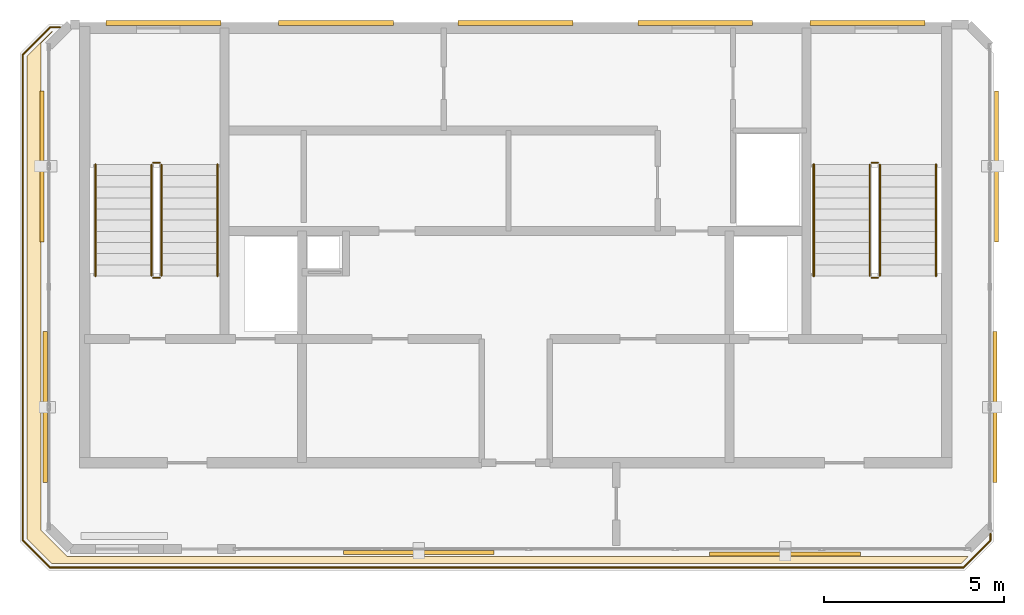
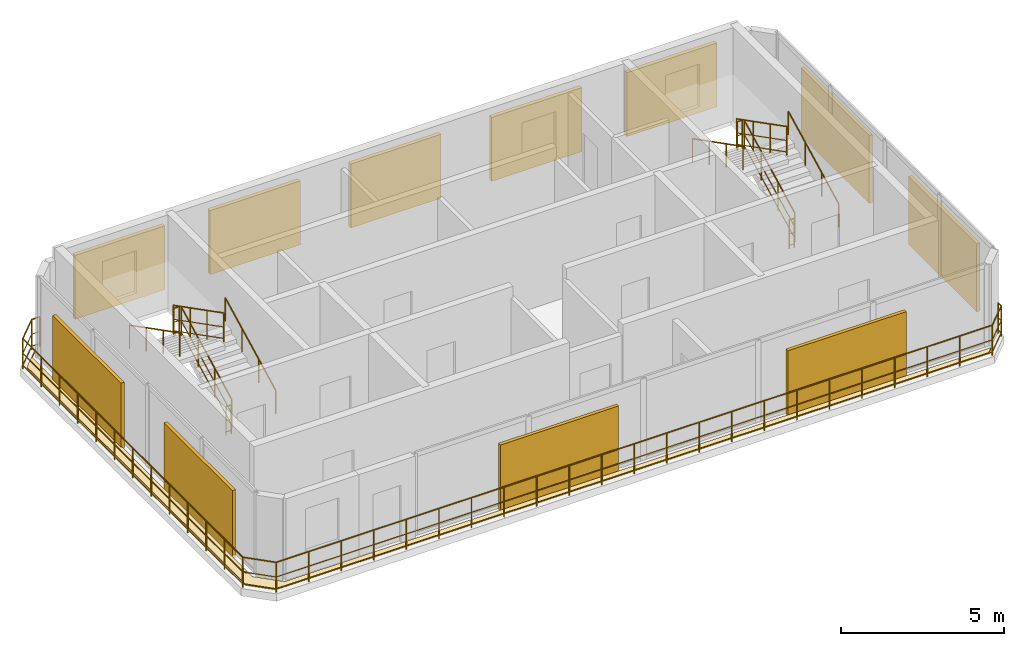
# One storey, part 7 of 7: 14 railings, 11 shading devices, 1 covering.
"""IFC4 building model written with IfcOpenShell, lengths in metres."""

from ifc_helpers import new_model, si_unit, direction, frame, origin, origin_2d, place, context, subcontext, project, spatial, polyline, rectangle, circle, outline, extrude, material, layer, layer_set, type_object, element, save


model = new_model("IFC4")

# Units and contexts
model_context = context("Model", 3, precision=1e-05, world=origin(), true_north=direction((0.0, 1.0)))
body_context = subcontext(model_context, "Body", "Model", "MODEL_VIEW")
ifc_project = project(units=[si_unit("LENGTHUNIT", "METRE"), si_unit("AREAUNIT", "SQUARE_METRE"), si_unit("VOLUMEUNIT", "CUBIC_METRE"), si_unit("PLANEANGLEUNIT", "RADIAN"), si_unit("MASSUNIT", "GRAM", prefix="KILO")], contexts=[model_context])

# Site, building, storey
site_placement = place(None, origin())
site = spatial("IfcSite", under=ifc_project, at=site_placement, CompositionType="ELEMENT")
building_placement = place(site_placement, origin())
building = spatial("IfcBuilding", under=site, at=building_placement, Name="Catumbela Crestline Tower", CompositionType="ELEMENT")
storey_placement = place(building_placement, frame((0.0, 0.0, 315.0)))
storey = spatial("IfcBuildingStorey", under=building, at=storey_placement, Name="L81", CompositionType="ELEMENT", Elevation=315.0)

# Covering
ifc_material_1 = material(Name="Polymer-modified bitumen and XPS roof membrane")
ifc_layer = layer(ifc_material_1, 0.05, Name="Polymer-modified bitumen and XPS roof membrane")
ifc_layer_set = layer_set([ifc_layer], Name="Polymer-modified bitumen and XPS roof membrane")
covering_type = type_object("IfcCoveringType", Name="CR-MEM", PredefinedType="ROOFING", material=ifc_layer_set)
covering_placement = place(storey_placement, origin())
element("IfcCovering", 1, at=covering_placement, inside=storey, type_object=covering_type, Name="L81 Crown Terrace Waterproofing Membrane 5", PredefinedType="ROOFING", context=body_context, shape_type="SweptSolid", body=[
    extrude(outline(polyline([(40.6072, 28.19), (40.4172, 28.0), (15.0828, 28.0), (14.4, 28.6828), (14.4, 42.1172), (15.0828, 42.8), (15.103, 42.8), (14.79, 42.487), (14.79, 28.913), (15.513, 28.19), (40.6072, 28.19)])), origin(), (0.0, 0.0, 1.0), 0.05),
])

# Railings
ifc_material_2 = material(Name="Stainless steel EN 1.4401", Category="steel")
railing_type_1 = type_object("IfcRailingType", Name="RG-1100", PredefinedType="GUARDRAIL", material=ifc_material_2)
railing_1_placement = place(storey_placement, frame((18.14, 36.0, 0.1591)))
element("IfcRailing", 2, at=railing_1_placement, inside=storey, type_object=railing_type_1, Name="L81 ST-01 stair guard 1", PredefinedType="GUARDRAIL", context=body_context, shape_type="SweptSolid", body=[
    extrude(circle(Radius=0.024, at=origin_2d()), frame((0.0, 0.0, 1.076), z_axis=(0.0, 0.889682666616, 0.456579404619), x_axis=(-1.0, 0.0, 0.0)), (0.0, 0.0, 1.0), 3.4844),
    extrude(circle(Radius=0.0156, at=origin_2d()), frame((0.0, 0.0, 0.55), z_axis=(0.0, 0.889682666616, 0.456579404619), x_axis=(-1.0, 0.0, 0.0)), (0.0, 0.0, 1.0), 3.4844),
    extrude(circle(Radius=0.0156, at=origin_2d()), frame((0.0, 0.0, 0.12), z_axis=(0.0, 0.889682666616, 0.456579404619), x_axis=(-1.0, 0.0, 0.0)), (0.0, 0.0, 1.0), 3.4844),
    extrude(circle(Radius=0.021, at=origin_2d()), origin(), (0.0, 0.0, 1.0), 1.052),
    extrude(circle(Radius=0.021, at=origin_2d()), frame((0.0, 1.0333, 0.5303)), (0.0, 0.0, 1.0), 1.052),
    extrude(circle(Radius=0.021, at=origin_2d()), frame((0.0, 2.0667, 1.0606)), (0.0, 0.0, 1.0), 1.052),
    extrude(circle(Radius=0.021, at=origin_2d()), frame((0.0, 3.1, 1.5909)), (0.0, 0.0, 1.0), 1.052),
])
railing_2_placement = place(storey_placement, frame((18.09, 39.15, 1.75)))
element("IfcRailing", 3, at=railing_2_placement, inside=storey, type_object=railing_type_1, Name="L81 ST-01 stair guard 2", PredefinedType="GUARDRAIL", context=body_context, shape_type="SweptSolid", body=[
    extrude(circle(Radius=0.024, at=origin_2d()), frame((0.0, 0.0, 1.076), z_axis=(-1.0, 0.0, 0.0), x_axis=(0.0, -1.0, 0.0)), (0.0, 0.0, 1.0), 0.18),
    extrude(circle(Radius=0.0156, at=origin_2d()), frame((0.0, 0.0, 0.55), z_axis=(-1.0, 0.0, 0.0), x_axis=(0.0, -1.0, 0.0)), (0.0, 0.0, 1.0), 0.18),
    extrude(circle(Radius=0.0156, at=origin_2d()), frame((0.0, 0.0, 0.12), z_axis=(-1.0, 0.0, 0.0), x_axis=(0.0, -1.0, 0.0)), (0.0, 0.0, 1.0), 0.18),
    extrude(circle(Radius=0.021, at=origin_2d()), origin(), (0.0, 0.0, 1.0), 1.052),
    extrude(circle(Radius=0.021, at=origin_2d()), frame((-0.18, 0.0, 0.0)), (0.0, 0.0, 1.0), 1.052),
])
railing_3_placement = place(storey_placement, frame((17.86, 39.1, 1.9091)))
element("IfcRailing", 4, at=railing_3_placement, inside=storey, type_object=railing_type_1, Name="L81 ST-01 stair guard 3", PredefinedType="GUARDRAIL", context=body_context, shape_type="SweptSolid", body=[
    extrude(circle(Radius=0.024, at=origin_2d()), frame((0.0, 0.0, 1.076), z_axis=(0.0, -0.889682666616, 0.456579404619), x_axis=(1.0, 0.0, 0.0)), (0.0, 0.0, 1.0), 3.4844),
    extrude(circle(Radius=0.0156, at=origin_2d()), frame((0.0, 0.0, 0.55), z_axis=(0.0, -0.889682666616, 0.456579404619), x_axis=(1.0, 0.0, 0.0)), (0.0, 0.0, 1.0), 3.4844),
    extrude(circle(Radius=0.0156, at=origin_2d()), frame((0.0, 0.0, 0.12), z_axis=(0.0, -0.889682666616, 0.456579404619), x_axis=(1.0, 0.0, 0.0)), (0.0, 0.0, 1.0), 3.4844),
    extrude(circle(Radius=0.021, at=origin_2d()), origin(), (0.0, 0.0, 1.0), 1.052),
    extrude(circle(Radius=0.021, at=origin_2d()), frame((0.0, -1.0333, 0.5303)), (0.0, 0.0, 1.0), 1.052),
    extrude(circle(Radius=0.021, at=origin_2d()), frame((0.0, -2.0667, 1.0606)), (0.0, 0.0, 1.0), 1.052),
    extrude(circle(Radius=0.021, at=origin_2d()), frame((0.0, -3.1, 1.5909)), (0.0, 0.0, 1.0), 1.052),
])
railing_4_placement = place(storey_placement, frame((18.09, 35.95, 0.0)))
element("IfcRailing", 5, at=railing_4_placement, inside=storey, type_object=railing_type_1, Name="L81 ST-01 stair guard 4", PredefinedType="GUARDRAIL", context=body_context, shape_type="SweptSolid", body=[
    extrude(circle(Radius=0.024, at=origin_2d()), frame((0.0, 0.0, 1.076), z_axis=(-1.0, 0.0, 0.0), x_axis=(0.0, -1.0, 0.0)), (0.0, 0.0, 1.0), 0.18),
    extrude(circle(Radius=0.0156, at=origin_2d()), frame((0.0, 0.0, 0.55), z_axis=(-1.0, 0.0, 0.0), x_axis=(0.0, -1.0, 0.0)), (0.0, 0.0, 1.0), 0.18),
    extrude(circle(Radius=0.0156, at=origin_2d()), frame((0.0, 0.0, 0.12), z_axis=(-1.0, 0.0, 0.0), x_axis=(0.0, -1.0, 0.0)), (0.0, 0.0, 1.0), 0.18),
    extrude(circle(Radius=0.021, at=origin_2d()), origin(), (0.0, 0.0, 1.0), 1.052),
    extrude(circle(Radius=0.021, at=origin_2d()), frame((-0.18, 0.0, 0.0)), (0.0, 0.0, 1.0), 1.052),
])
railing_5_placement = place(storey_placement, frame((38.14, 36.0, 0.1591)))
element("IfcRailing", 6, at=railing_5_placement, inside=storey, type_object=railing_type_1, Name="L81 ST-02 stair guard 1", PredefinedType="GUARDRAIL", context=body_context, shape_type="SweptSolid", body=[
    extrude(circle(Radius=0.024, at=origin_2d()), frame((0.0, 0.0, 1.076), z_axis=(0.0, 0.889682666616, 0.456579404619), x_axis=(-1.0, 0.0, 0.0)), (0.0, 0.0, 1.0), 3.4844),
    extrude(circle(Radius=0.0156, at=origin_2d()), frame((0.0, 0.0, 0.55), z_axis=(0.0, 0.889682666616, 0.456579404619), x_axis=(-1.0, 0.0, 0.0)), (0.0, 0.0, 1.0), 3.4844),
    extrude(circle(Radius=0.0156, at=origin_2d()), frame((0.0, 0.0, 0.12), z_axis=(0.0, 0.889682666616, 0.456579404619), x_axis=(-1.0, 0.0, 0.0)), (0.0, 0.0, 1.0), 3.4844),
    extrude(circle(Radius=0.021, at=origin_2d()), origin(), (0.0, 0.0, 1.0), 1.052),
    extrude(circle(Radius=0.021, at=origin_2d()), frame((0.0, 1.0333, 0.5303)), (0.0, 0.0, 1.0), 1.052),
    extrude(circle(Radius=0.021, at=origin_2d()), frame((0.0, 2.0667, 1.0606)), (0.0, 0.0, 1.0), 1.052),
    extrude(circle(Radius=0.021, at=origin_2d()), frame((0.0, 3.1, 1.5909)), (0.0, 0.0, 1.0), 1.052),
])
railing_6_placement = place(storey_placement, frame((38.09, 39.15, 1.75)))
element("IfcRailing", 7, at=railing_6_placement, inside=storey, type_object=railing_type_1, Name="L81 ST-02 stair guard 2", PredefinedType="GUARDRAIL", context=body_context, shape_type="SweptSolid", body=[
    extrude(circle(Radius=0.024, at=origin_2d()), frame((0.0, 0.0, 1.076), z_axis=(-1.0, 0.0, 0.0), x_axis=(0.0, -1.0, 0.0)), (0.0, 0.0, 1.0), 0.18),
    extrude(circle(Radius=0.0156, at=origin_2d()), frame((0.0, 0.0, 0.55), z_axis=(-1.0, 0.0, 0.0), x_axis=(0.0, -1.0, 0.0)), (0.0, 0.0, 1.0), 0.18),
    extrude(circle(Radius=0.0156, at=origin_2d()), frame((0.0, 0.0, 0.12), z_axis=(-1.0, 0.0, 0.0), x_axis=(0.0, -1.0, 0.0)), (0.0, 0.0, 1.0), 0.18),
    extrude(circle(Radius=0.021, at=origin_2d()), origin(), (0.0, 0.0, 1.0), 1.052),
    extrude(circle(Radius=0.021, at=origin_2d()), frame((-0.18, 0.0, 0.0)), (0.0, 0.0, 1.0), 1.052),
])
railing_7_placement = place(storey_placement, frame((37.86, 39.1, 1.9091)))
element("IfcRailing", 8, at=railing_7_placement, inside=storey, type_object=railing_type_1, Name="L81 ST-02 stair guard 3", PredefinedType="GUARDRAIL", context=body_context, shape_type="SweptSolid", body=[
    extrude(circle(Radius=0.024, at=origin_2d()), frame((0.0, 0.0, 1.076), z_axis=(0.0, -0.889682666616, 0.456579404619), x_axis=(1.0, 0.0, 0.0)), (0.0, 0.0, 1.0), 3.4844),
    extrude(circle(Radius=0.0156, at=origin_2d()), frame((0.0, 0.0, 0.55), z_axis=(0.0, -0.889682666616, 0.456579404619), x_axis=(1.0, 0.0, 0.0)), (0.0, 0.0, 1.0), 3.4844),
    extrude(circle(Radius=0.0156, at=origin_2d()), frame((0.0, 0.0, 0.12), z_axis=(0.0, -0.889682666616, 0.456579404619), x_axis=(1.0, 0.0, 0.0)), (0.0, 0.0, 1.0), 3.4844),
    extrude(circle(Radius=0.021, at=origin_2d()), origin(), (0.0, 0.0, 1.0), 1.052),
    extrude(circle(Radius=0.021, at=origin_2d()), frame((0.0, -1.0333, 0.5303)), (0.0, 0.0, 1.0), 1.052),
    extrude(circle(Radius=0.021, at=origin_2d()), frame((0.0, -2.0667, 1.0606)), (0.0, 0.0, 1.0), 1.052),
    extrude(circle(Radius=0.021, at=origin_2d()), frame((0.0, -3.1, 1.5909)), (0.0, 0.0, 1.0), 1.052),
])
railing_8_placement = place(storey_placement, frame((38.09, 35.95, 0.0)))
element("IfcRailing", 9, at=railing_8_placement, inside=storey, type_object=railing_type_1, Name="L81 ST-02 stair guard 4", PredefinedType="GUARDRAIL", context=body_context, shape_type="SweptSolid", body=[
    extrude(circle(Radius=0.024, at=origin_2d()), frame((0.0, 0.0, 1.076), z_axis=(-1.0, 0.0, 0.0), x_axis=(0.0, -1.0, 0.0)), (0.0, 0.0, 1.0), 0.18),
    extrude(circle(Radius=0.0156, at=origin_2d()), frame((0.0, 0.0, 0.55), z_axis=(-1.0, 0.0, 0.0), x_axis=(0.0, -1.0, 0.0)), (0.0, 0.0, 1.0), 0.18),
    extrude(circle(Radius=0.0156, at=origin_2d()), frame((0.0, 0.0, 0.12), z_axis=(-1.0, 0.0, 0.0), x_axis=(0.0, -1.0, 0.0)), (0.0, 0.0, 1.0), 0.18),
    extrude(circle(Radius=0.021, at=origin_2d()), origin(), (0.0, 0.0, 1.0), 1.052),
    extrude(circle(Radius=0.021, at=origin_2d()), frame((-0.18, 0.0, 0.0)), (0.0, 0.0, 1.0), 1.052),
])
railing_type_2 = type_object("IfcRailingType", Name="RH-0900", PredefinedType="HANDRAIL", material=ifc_material_2)
railing_9_placement = place(storey_placement, frame((19.7, 36.0, 0.1591)))
element("IfcRailing", 10, at=railing_9_placement, inside=storey, type_object=railing_type_2, Name="L81 ST-01 stair handrail 1", PredefinedType="HANDRAIL", context=body_context, shape_type="SweptSolid", body=[
    extrude(circle(Radius=0.024, at=origin_2d()), frame((0.0, 0.0, 0.876), z_axis=(0.0, 0.889682666616, 0.456579404619), x_axis=(-1.0, 0.0, 0.0)), (0.0, 0.0, 1.0), 3.4844),
    extrude(circle(Radius=0.021, at=origin_2d()), origin(), (0.0, 0.0, 1.0), 0.852),
    extrude(circle(Radius=0.021, at=origin_2d()), frame((0.0, 1.0333, 0.5303)), (0.0, 0.0, 1.0), 0.852),
    extrude(circle(Radius=0.021, at=origin_2d()), frame((0.0, 2.0667, 1.0606)), (0.0, 0.0, 1.0), 0.852),
    extrude(circle(Radius=0.021, at=origin_2d()), frame((0.0, 3.1, 1.5909)), (0.0, 0.0, 1.0), 0.852),
])
railing_10_placement = place(storey_placement, frame((16.3, 39.1, 1.9091)))
element("IfcRailing", 11, at=railing_10_placement, inside=storey, type_object=railing_type_2, Name="L81 ST-01 stair handrail 2", PredefinedType="HANDRAIL", context=body_context, shape_type="SweptSolid", body=[
    extrude(circle(Radius=0.024, at=origin_2d()), frame((0.0, 0.0, 0.876), z_axis=(0.0, -0.889682666616, 0.456579404619), x_axis=(1.0, 0.0, 0.0)), (0.0, 0.0, 1.0), 3.4844),
    extrude(circle(Radius=0.021, at=origin_2d()), origin(), (0.0, 0.0, 1.0), 0.852),
    extrude(circle(Radius=0.021, at=origin_2d()), frame((0.0, -1.0333, 0.5303)), (0.0, 0.0, 1.0), 0.852),
    extrude(circle(Radius=0.021, at=origin_2d()), frame((0.0, -2.0667, 1.0606)), (0.0, 0.0, 1.0), 0.852),
    extrude(circle(Radius=0.021, at=origin_2d()), frame((0.0, -3.1, 1.5909)), (0.0, 0.0, 1.0), 0.852),
])
railing_11_placement = place(storey_placement, frame((39.7, 36.0, 0.1591)))
element("IfcRailing", 12, at=railing_11_placement, inside=storey, type_object=railing_type_2, Name="L81 ST-02 stair handrail 1", PredefinedType="HANDRAIL", context=body_context, shape_type="SweptSolid", body=[
    extrude(circle(Radius=0.024, at=origin_2d()), frame((0.0, 0.0, 0.876), z_axis=(0.0, 0.889682666616, 0.456579404619), x_axis=(-1.0, 0.0, 0.0)), (0.0, 0.0, 1.0), 3.4844),
    extrude(circle(Radius=0.021, at=origin_2d()), origin(), (0.0, 0.0, 1.0), 0.852),
    extrude(circle(Radius=0.021, at=origin_2d()), frame((0.0, 1.0333, 0.5303)), (0.0, 0.0, 1.0), 0.852),
    extrude(circle(Radius=0.021, at=origin_2d()), frame((0.0, 2.0667, 1.0606)), (0.0, 0.0, 1.0), 0.852),
    extrude(circle(Radius=0.021, at=origin_2d()), frame((0.0, 3.1, 1.5909)), (0.0, 0.0, 1.0), 0.852),
])
railing_12_placement = place(storey_placement, frame((36.3, 39.1, 1.9091)))
element("IfcRailing", 13, at=railing_12_placement, inside=storey, type_object=railing_type_2, Name="L81 ST-02 stair handrail 2", PredefinedType="HANDRAIL", context=body_context, shape_type="SweptSolid", body=[
    extrude(circle(Radius=0.024, at=origin_2d()), frame((0.0, 0.0, 0.876), z_axis=(0.0, -0.889682666616, 0.456579404619), x_axis=(1.0, 0.0, 0.0)), (0.0, 0.0, 1.0), 3.4844),
    extrude(circle(Radius=0.021, at=origin_2d()), origin(), (0.0, 0.0, 1.0), 0.852),
    extrude(circle(Radius=0.021, at=origin_2d()), frame((0.0, -1.0333, 0.5303)), (0.0, 0.0, 1.0), 0.852),
    extrude(circle(Radius=0.021, at=origin_2d()), frame((0.0, -2.0667, 1.0606)), (0.0, 0.0, 1.0), 0.852),
    extrude(circle(Radius=0.021, at=origin_2d()), frame((0.0, -3.1, 1.5909)), (0.0, 0.0, 1.0), 0.852),
])
railing_type_3 = type_object("IfcRailingType", Name="RT-1150", PredefinedType="BALUSTRADE", material=ifc_material_2)
railing_13_placement = place(storey_placement, frame((41.22, 28.6331, 0.0)))
element("IfcRailing", 14, at=railing_13_placement, inside=storey, type_object=railing_type_3, Name="L81 Stepped Terrace Balustrade 1-1", PredefinedType="BALUSTRADE", context=body_context, shape_type="SweptSolid", body=[
    extrude(circle(Radius=0.024, at=origin_2d()), frame((0.0, 0.0, 1.126), z_axis=(-0.707106781187, -0.707106781187, 0.0), x_axis=(0.707106781187, -0.707106781187, 0.0)), (0.0, 0.0, 1.0), 1.065),
    extrude(circle(Radius=0.0156, at=origin_2d()), frame((0.0, 0.0, 0.575), z_axis=(-0.707106781187, -0.707106781187, 0.0), x_axis=(0.707106781187, -0.707106781187, 0.0)), (0.0, 0.0, 1.0), 1.065),
    extrude(circle(Radius=0.0156, at=origin_2d()), frame((0.0, 0.0, 0.12), z_axis=(-0.707106781187, -0.707106781187, 0.0), x_axis=(0.707106781187, -0.707106781187, 0.0)), (0.0, 0.0, 1.0), 1.065),
    extrude(circle(Radius=0.024, at=origin_2d()), frame((-0.7531, -0.7531, 1.126), z_axis=(-1.0, 0.0, 0.0), x_axis=(0.0, -1.0, 0.0)), (0.0, 0.0, 1.0), 25.4338),
    extrude(circle(Radius=0.0156, at=origin_2d()), frame((-0.7531, -0.7531, 0.575), z_axis=(-1.0, 0.0, 0.0), x_axis=(0.0, -1.0, 0.0)), (0.0, 0.0, 1.0), 25.4338),
    extrude(circle(Radius=0.0156, at=origin_2d()), frame((-0.7531, -0.7531, 0.12), z_axis=(-1.0, 0.0, 0.0), x_axis=(0.0, -1.0, 0.0)), (0.0, 0.0, 1.0), 25.4338),
    extrude(circle(Radius=0.024, at=origin_2d()), frame((-26.1869, -0.7531, 1.126), z_axis=(-0.707106781187, 0.707106781187, 0.0), x_axis=(-0.707106781187, -0.707106781187, 0.0)), (0.0, 0.0, 1.0), 1.065),
    extrude(circle(Radius=0.0156, at=origin_2d()), frame((-26.1869, -0.7531, 0.575), z_axis=(-0.707106781187, 0.707106781187, 0.0), x_axis=(-0.707106781187, -0.707106781187, 0.0)), (0.0, 0.0, 1.0), 1.065),
    extrude(circle(Radius=0.0156, at=origin_2d()), frame((-26.1869, -0.7531, 0.12), z_axis=(-0.707106781187, 0.707106781187, 0.0), x_axis=(-0.707106781187, -0.707106781187, 0.0)), (0.0, 0.0, 1.0), 1.065),
    extrude(circle(Radius=0.024, at=origin_2d()), frame((-26.94, 0.0, 1.126), z_axis=(0.0, 1.0, 0.0), x_axis=(-1.0, 0.0, 0.0)), (0.0, 0.0, 1.0), 13.5338),
    extrude(circle(Radius=0.0156, at=origin_2d()), frame((-26.94, 0.0, 0.575), z_axis=(0.0, 1.0, 0.0), x_axis=(-1.0, 0.0, 0.0)), (0.0, 0.0, 1.0), 13.5338),
    extrude(circle(Radius=0.0156, at=origin_2d()), frame((-26.94, 0.0, 0.12), z_axis=(0.0, 1.0, 0.0), x_axis=(-1.0, 0.0, 0.0)), (0.0, 0.0, 1.0), 13.5338),
    extrude(circle(Radius=0.024, at=origin_2d()), frame((-26.94, 13.5338, 1.126), z_axis=(0.707106781187, 0.707106781187, 0.0), x_axis=(-0.707106781187, 0.707106781187, 0.0)), (0.0, 0.0, 1.0), 1.065),
    extrude(circle(Radius=0.0156, at=origin_2d()), frame((-26.94, 13.5338, 0.575), z_axis=(0.707106781187, 0.707106781187, 0.0), x_axis=(-0.707106781187, 0.707106781187, 0.0)), (0.0, 0.0, 1.0), 1.065),
    extrude(circle(Radius=0.0156, at=origin_2d()), frame((-26.94, 13.5338, 0.12), z_axis=(0.707106781187, 0.707106781187, 0.0), x_axis=(-0.707106781187, 0.707106781187, 0.0)), (0.0, 0.0, 1.0), 1.065),
    extrude(circle(Radius=0.024, at=origin_2d()), frame((-26.1869, 14.2869, 1.126), z_axis=(1.0, 0.0, 0.0), x_axis=(0.0, 1.0, 0.0)), (0.0, 0.0, 1.0), 0.2889),
    extrude(circle(Radius=0.0156, at=origin_2d()), frame((-26.1869, 14.2869, 0.575), z_axis=(1.0, 0.0, 0.0), x_axis=(0.0, 1.0, 0.0)), (0.0, 0.0, 1.0), 0.2889),
    extrude(circle(Radius=0.0156, at=origin_2d()), frame((-26.1869, 14.2869, 0.12), z_axis=(1.0, 0.0, 0.0), x_axis=(0.0, 1.0, 0.0)), (0.0, 0.0, 1.0), 0.2889),
    extrude(circle(Radius=0.021, at=origin_2d()), origin(), (0.0, 0.0, 1.0), 1.102),
    extrude(circle(Radius=0.021, at=origin_2d()), frame((-0.7531, -0.7531, 0.0)), (0.0, 0.0, 1.0), 1.102),
    extrude(circle(Radius=0.021, at=origin_2d()), frame((-1.9092, -0.7531, 0.0)), (0.0, 0.0, 1.0), 1.102),
    extrude(circle(Radius=0.021, at=origin_2d()), frame((-3.0653, -0.7531, 0.0)), (0.0, 0.0, 1.0), 1.102),
    extrude(circle(Radius=0.021, at=origin_2d()), frame((-4.2213, -0.7531, 0.0)), (0.0, 0.0, 1.0), 1.102),
    extrude(circle(Radius=0.021, at=origin_2d()), frame((-5.3774, -0.7531, 0.0)), (0.0, 0.0, 1.0), 1.102),
    extrude(circle(Radius=0.021, at=origin_2d()), frame((-6.5335, -0.7531, 0.0)), (0.0, 0.0, 1.0), 1.102),
    extrude(circle(Radius=0.021, at=origin_2d()), frame((-7.6896, -0.7531, 0.0)), (0.0, 0.0, 1.0), 1.102),
    extrude(circle(Radius=0.021, at=origin_2d()), frame((-8.8457, -0.7531, 0.0)), (0.0, 0.0, 1.0), 1.102),
    extrude(circle(Radius=0.021, at=origin_2d()), frame((-10.0018, -0.7531, 0.0)), (0.0, 0.0, 1.0), 1.102),
    extrude(circle(Radius=0.021, at=origin_2d()), frame((-11.1578, -0.7531, 0.0)), (0.0, 0.0, 1.0), 1.102),
    extrude(circle(Radius=0.021, at=origin_2d()), frame((-12.3139, -0.7531, 0.0)), (0.0, 0.0, 1.0), 1.102),
    extrude(circle(Radius=0.021, at=origin_2d()), frame((-13.47, -0.7531, 0.0)), (0.0, 0.0, 1.0), 1.102),
    extrude(circle(Radius=0.021, at=origin_2d()), frame((-14.6261, -0.7531, 0.0)), (0.0, 0.0, 1.0), 1.102),
    extrude(circle(Radius=0.021, at=origin_2d()), frame((-15.7822, -0.7531, 0.0)), (0.0, 0.0, 1.0), 1.102),
    extrude(circle(Radius=0.021, at=origin_2d()), frame((-16.9382, -0.7531, 0.0)), (0.0, 0.0, 1.0), 1.102),
    extrude(circle(Radius=0.021, at=origin_2d()), frame((-18.0943, -0.7531, 0.0)), (0.0, 0.0, 1.0), 1.102),
    extrude(circle(Radius=0.021, at=origin_2d()), frame((-19.2504, -0.7531, 0.0)), (0.0, 0.0, 1.0), 1.102),
    extrude(circle(Radius=0.021, at=origin_2d()), frame((-20.4065, -0.7531, 0.0)), (0.0, 0.0, 1.0), 1.102),
    extrude(circle(Radius=0.021, at=origin_2d()), frame((-21.5626, -0.7531, 0.0)), (0.0, 0.0, 1.0), 1.102),
    extrude(circle(Radius=0.021, at=origin_2d()), frame((-22.7187, -0.7531, 0.0)), (0.0, 0.0, 1.0), 1.102),
    extrude(circle(Radius=0.021, at=origin_2d()), frame((-23.8747, -0.7531, 0.0)), (0.0, 0.0, 1.0), 1.102),
    extrude(circle(Radius=0.021, at=origin_2d()), frame((-25.0308, -0.7531, 0.0)), (0.0, 0.0, 1.0), 1.102),
    extrude(circle(Radius=0.021, at=origin_2d()), frame((-26.1869, -0.7531, 0.0)), (0.0, 0.0, 1.0), 1.102),
    extrude(circle(Radius=0.021, at=origin_2d()), frame((-26.94, 0.0, 0.0)), (0.0, 0.0, 1.0), 1.102),
    extrude(circle(Radius=0.021, at=origin_2d()), frame((-26.94, 1.1278, 0.0)), (0.0, 0.0, 1.0), 1.102),
    extrude(circle(Radius=0.021, at=origin_2d()), frame((-26.94, 2.2556, 0.0)), (0.0, 0.0, 1.0), 1.102),
    extrude(circle(Radius=0.021, at=origin_2d()), frame((-26.94, 3.3834, 0.0)), (0.0, 0.0, 1.0), 1.102),
    extrude(circle(Radius=0.021, at=origin_2d()), frame((-26.94, 4.5113, 0.0)), (0.0, 0.0, 1.0), 1.102),
    extrude(circle(Radius=0.021, at=origin_2d()), frame((-26.94, 5.6391, 0.0)), (0.0, 0.0, 1.0), 1.102),
    extrude(circle(Radius=0.021, at=origin_2d()), frame((-26.94, 6.7669, 0.0)), (0.0, 0.0, 1.0), 1.102),
    extrude(circle(Radius=0.021, at=origin_2d()), frame((-26.94, 7.8947, 0.0)), (0.0, 0.0, 1.0), 1.102),
    extrude(circle(Radius=0.021, at=origin_2d()), frame((-26.94, 9.0225, 0.0)), (0.0, 0.0, 1.0), 1.102),
    extrude(circle(Radius=0.021, at=origin_2d()), frame((-26.94, 10.1504, 0.0)), (0.0, 0.0, 1.0), 1.102),
    extrude(circle(Radius=0.021, at=origin_2d()), frame((-26.94, 11.2782, 0.0)), (0.0, 0.0, 1.0), 1.102),
    extrude(circle(Radius=0.021, at=origin_2d()), frame((-26.94, 12.406, 0.0)), (0.0, 0.0, 1.0), 1.102),
    extrude(circle(Radius=0.021, at=origin_2d()), frame((-26.94, 13.5338, 0.0)), (0.0, 0.0, 1.0), 1.102),
    extrude(circle(Radius=0.021, at=origin_2d()), frame((-26.1869, 14.2869, 0.0)), (0.0, 0.0, 1.0), 1.102),
    extrude(circle(Radius=0.021, at=origin_2d()), frame((-25.898, 14.2869, 0.0)), (0.0, 0.0, 1.0), 1.102),
])
railing_14_placement = place(storey_placement, frame((41.22, 28.822, 0.0)))
element("IfcRailing", 15, at=railing_14_placement, inside=storey, type_object=railing_type_3, Name="L81 Stepped Terrace Balustrade 1-2", PredefinedType="BALUSTRADE", context=body_context, shape_type="SweptSolid", body=[
    extrude(circle(Radius=0.024, at=origin_2d()), frame((0.0, 0.0, 1.126), z_axis=(0.0, -1.0, 0.0), x_axis=(1.0, 0.0, 0.0)), (0.0, 0.0, 1.0), 0.1889),
    extrude(circle(Radius=0.0156, at=origin_2d()), frame((0.0, 0.0, 0.575), z_axis=(0.0, -1.0, 0.0), x_axis=(1.0, 0.0, 0.0)), (0.0, 0.0, 1.0), 0.1889),
    extrude(circle(Radius=0.0156, at=origin_2d()), frame((0.0, 0.0, 0.12), z_axis=(0.0, -1.0, 0.0), x_axis=(1.0, 0.0, 0.0)), (0.0, 0.0, 1.0), 0.1889),
    extrude(circle(Radius=0.021, at=origin_2d()), origin(), (0.0, 0.0, 1.0), 1.102),
    extrude(circle(Radius=0.021, at=origin_2d()), frame((0.0, -0.1889, 0.0)), (0.0, 0.0, 1.0), 1.102),
])

# Shading devices
ifc_material_3 = material(Name="Extruded terracotta ceramic", Category="masonry")
shading_device_type_1 = type_object("IfcShadingDeviceType", Name="ST-180", PredefinedType="USERDEFINED", material=ifc_material_3)
for number, where, z_axis, x_axis, name in (
    (16, (28.0, 43.04, 0.55), (0.0, 0.0, 1.0), (1.0, 0.0, 0.0), "L81 Rear Core Terracotta Brise-Soleil Screen 973"),
    (17, (37.8, 43.04, 0.55), (0.0, 0.0, 1.0), (1.0, 0.0, 0.0), "L81 Rear Core Terracotta Brise-Soleil Screen 975"),
):
    element("IfcShadingDevice", number, at=place(storey_placement, frame(where, z_axis=z_axis, x_axis=x_axis)), inside=storey, type_object=shading_device_type_1, Name=name, ObjectType="SCREEN", PredefinedType="USERDEFINED", context=body_context, shape_type="SweptSolid", body=[
        extrude(rectangle(XDim=3.2, YDim=0.14, at=origin_2d()), origin(), (0.0, 0.0, 1.0), 2.4),
    ])
for number, where, z_axis, x_axis, name in (
    (18, (25.3, 28.301, -0.1), (0.0, 0.0, 1.0), (1.0, 0.0, 0.0), "L81 Perforated Terracotta Solar Screen 976 (180 mm)"),
    (19, (14.901, 32.35, -0.1), (0.0, 0.0, 1.0), (0.0, -1.0, 0.0), "L81 Perforated Terracotta Solar Screen 981 (180 mm)"),
):
    element("IfcShadingDevice", number, at=place(storey_placement, frame(where, z_axis=z_axis, x_axis=x_axis)), inside=storey, type_object=shading_device_type_1, Name=name, ObjectType="SCREEN", PredefinedType="USERDEFINED", context=body_context, shape_type="SweptSolid", body=[
        extrude(rectangle(XDim=4.2, YDim=0.12, at=origin_2d()), origin(), (0.0, 0.0, 1.0), 2.55),
    ])
shading_device_type_2 = type_object("IfcShadingDeviceType", Name="ST-260", PredefinedType="USERDEFINED", material=ifc_material_3)
shading_device_placement = place(storey_placement, frame((23.0, 43.04, 0.55), z_axis=(0.0, 0.0, 1.0), x_axis=(1.0, 0.0, 0.0)))
element("IfcShadingDevice", 20, at=shading_device_placement, inside=storey, type_object=shading_device_type_2, Name="L81 Rear Core Terracotta Brise-Soleil Screen 972", ObjectType="SCREEN", PredefinedType="USERDEFINED", context=body_context, shape_type="SweptSolid", body=[
    extrude(rectangle(XDim=3.2, YDim=0.14, at=origin_2d()), origin(), (0.0, 0.0, 1.0), 2.4),
])
for number, where, z_axis, x_axis, name in (
    (21, (35.5, 28.257, -0.1), (0.0, 0.0, 1.0), (1.0, 0.0, 0.0), "L81 Perforated Terracotta Solar Screen 977 (260 mm)"),
    (22, (41.343, 32.35, -0.1), (0.0, 0.0, 1.0), (0.0, 1.0, 0.0), "L81 Perforated Terracotta Solar Screen 978 (260 mm)"),
):
    element("IfcShadingDevice", number, at=place(storey_placement, frame(where, z_axis=z_axis, x_axis=x_axis)), inside=storey, type_object=shading_device_type_2, Name=name, ObjectType="SCREEN", PredefinedType="USERDEFINED", context=body_context, shape_type="SweptSolid", body=[
        extrude(rectangle(XDim=4.2, YDim=0.12, at=origin_2d()), origin(), (0.0, 0.0, 1.0), 2.55),
    ])
shading_device_type_3 = type_object("IfcShadingDeviceType", Name="ST-340", PredefinedType="USERDEFINED", material=ifc_material_3)
for number, where, z_axis, x_axis, name in (
    (23, (18.2, 43.04, 0.55), (0.0, 0.0, 1.0), (1.0, 0.0, 0.0), "L81 Rear Core Terracotta Brise-Soleil Screen 971"),
    (24, (33.0, 43.04, 0.55), (0.0, 0.0, 1.0), (1.0, 0.0, 0.0), "L81 Rear Core Terracotta Brise-Soleil Screen 974"),
):
    element("IfcShadingDevice", number, at=place(storey_placement, frame(where, z_axis=z_axis, x_axis=x_axis)), inside=storey, type_object=shading_device_type_3, Name=name, ObjectType="SCREEN", PredefinedType="USERDEFINED", context=body_context, shape_type="SweptSolid", body=[
        extrude(rectangle(XDim=3.2, YDim=0.14, at=origin_2d()), origin(), (0.0, 0.0, 1.0), 2.4),
    ])
for number, where, z_axis, x_axis, name in (
    (25, (41.387, 39.05, -0.1), (0.0, 0.0, 1.0), (0.0, 1.0, 0.0), "L81 Perforated Terracotta Solar Screen 979 (340 mm)"),
    (26, (14.813, 39.05, -0.1), (0.0, 0.0, 1.0), (0.0, -1.0, 0.0), "L81 Perforated Terracotta Solar Screen 980 (340 mm)"),
):
    element("IfcShadingDevice", number, at=place(storey_placement, frame(where, z_axis=z_axis, x_axis=x_axis)), inside=storey, type_object=shading_device_type_3, Name=name, ObjectType="SCREEN", PredefinedType="USERDEFINED", context=body_context, shape_type="SweptSolid", body=[
        extrude(rectangle(XDim=4.2, YDim=0.12, at=origin_2d()), origin(), (0.0, 0.0, 1.0), 2.55),
    ])

save(model, "model.ifc")
